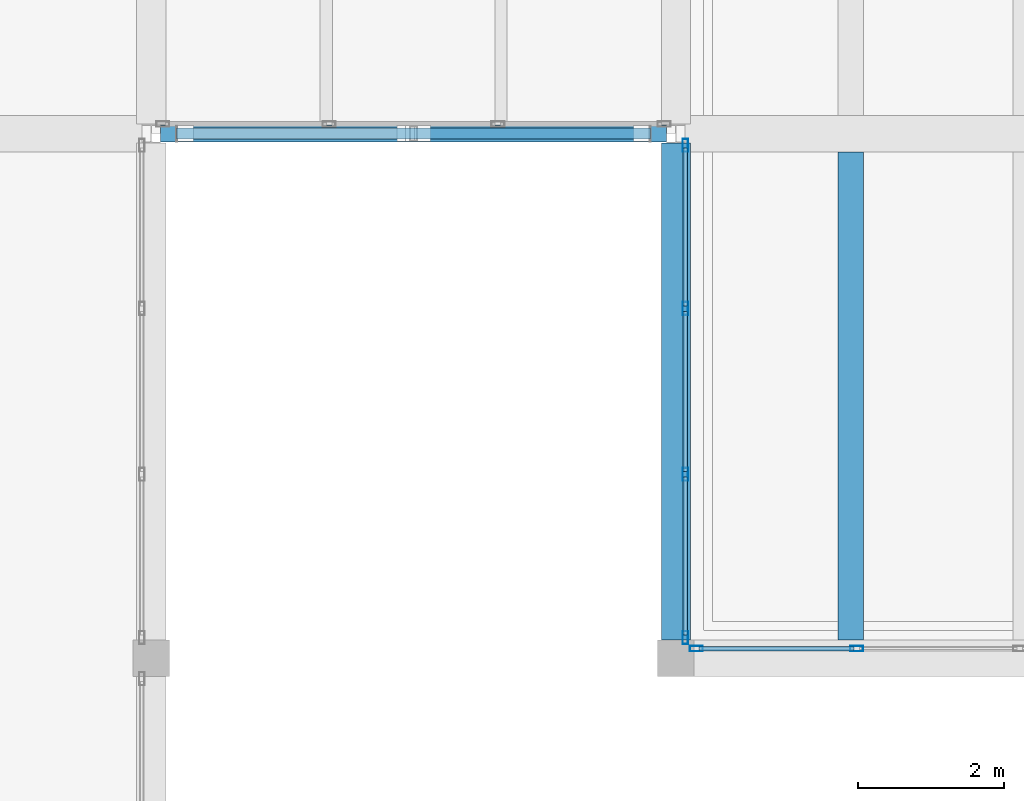
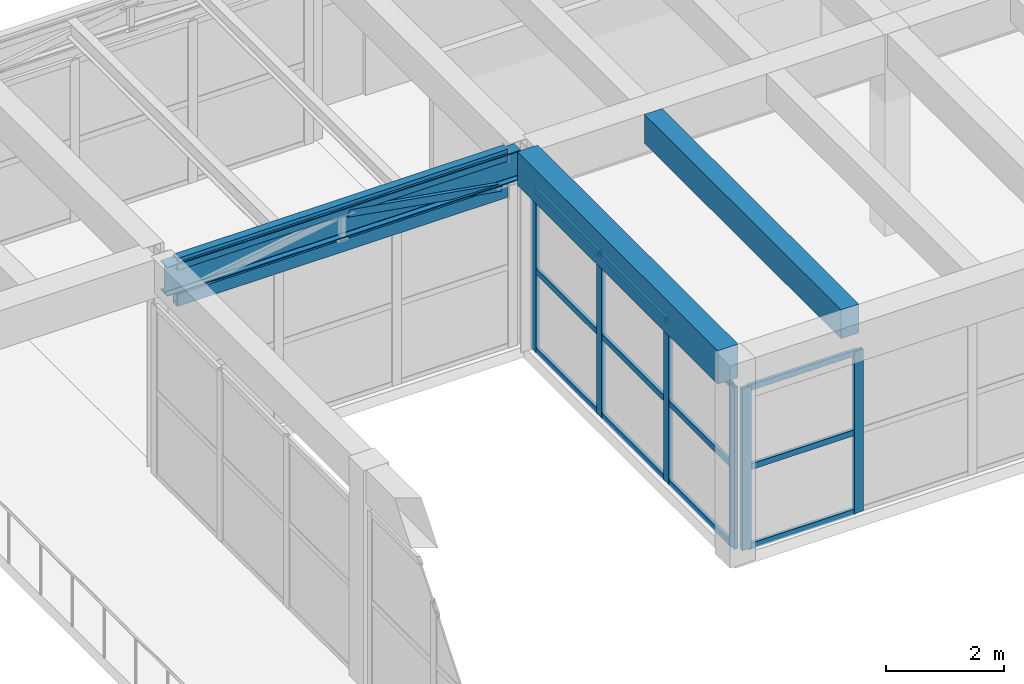
# One storey, part 47 of 153: 21 members, 3 beams, 2 elements without a shape of their own.
"""IFC4 building model written with IfcOpenShell, lengths in metres."""

import ifcopenshell
import ifcopenshell.guid

model = None  # the IFC model being written
_history = None  # IfcOwnerHistory: only IFC2X3 demands one
_inside = {}  # id of a spatial element -> (the spatial element, [elements in it])
_under = {}  # id of a project, library or spatial element -> (it, [spatial elements below it])
_declared = {}  # id of a project -> (the project, [libraries it declares])
_typed = {}  # id of a type object -> (the type object, [elements of that type])
_made_of = {}  # id of a material, layer set ... -> (it, [elements and type objects made of it])


def new_model(schema):
    """Start an empty IFC model of exactly this schema.

    Asked for "IFC4X3", IfcOpenShell would pick the latest addendum, in which some entities
    have other attributes; the version numbers below select the first issue.
    IFC2X3 requires an IfcOwnerHistory on every rooted entity: one is made here for all.
    """
    global model, _history
    if schema == "IFC4X3":
        model = ifcopenshell.file(schema_version=(4, 3, 0, 0))
    else:
        model = ifcopenshell.file(schema=schema)
    _inside.clear()
    _under.clear()
    _declared.clear()
    _typed.clear()
    _made_of.clear()
    _history = None
    if model.schema == "IFC2X3":
        org = make("IfcOrganization", Name="unknown")
        user = make(
            "IfcPersonAndOrganization",
            ThePerson=make("IfcPerson", FamilyName="unknown"),
            TheOrganization=org,
        )
        app = make(
            "IfcApplication",
            ApplicationDeveloper=org,
            Version="unknown",
            ApplicationFullName="unknown",
            ApplicationIdentifier="unknown",
        )
        _history = make(
            "IfcOwnerHistory",
            OwningUser=user,
            OwningApplication=app,
            ChangeAction="ADDED",
            CreationDate=0,
        )
    return model


def make(cls, **values):
    """One entity of the class cls with the attributes given. An attribute that is None is left unset."""
    return model.create_entity(
        cls, **{name: value for name, value in values.items() if value is not None}
    )


def rooted(cls, **values):
    """An entity with a GlobalId (a new one), such as an element, a storey or a relation."""
    return make(cls, GlobalId=ifcopenshell.guid.new(), OwnerHistory=_history, **values)


def si_unit(unit_type, name, prefix=None):
    """IfcSIUnit, for example si_unit("LENGTHUNIT", "METRE", prefix="MILLI")."""
    return make("IfcSIUnit", UnitType=unit_type, Prefix=prefix, Name=name)


def assignment(units):
    """IfcUnitAssignment: the units of a project."""
    return None if units is None else make("IfcUnitAssignment", Units=units)


def point(xyz):
    """IfcCartesianPoint."""
    return None if xyz is None else make("IfcCartesianPoint", Coordinates=xyz)


def direction(xyz):
    """IfcDirection."""
    return None if xyz is None else make("IfcDirection", DirectionRatios=xyz)


def frame(location, z_axis=None, x_axis=None):
    """IfcAxis2Placement3D, a coordinate frame: its origin and axes. An axis left out is left unset."""
    return make(
        "IfcAxis2Placement3D",
        Location=point(location),
        Axis=direction(z_axis),
        RefDirection=direction(x_axis),
    )


def frame_2d(location, x_axis=None):
    """IfcAxis2Placement2D, a coordinate frame in the plane: its origin and x axis."""
    return make(
        "IfcAxis2Placement2D", Location=point(location), RefDirection=direction(x_axis)
    )


def origin():
    """The frame at (0, 0, 0) with its axes left unset."""
    return frame((0.0, 0.0, 0.0))


def origin_2d():
    """The frame at (0, 0) in the plane with its x axis left unset."""
    return frame_2d((0.0, 0.0))


def place(relative_to, where):
    """IfcLocalPlacement: puts the frame where relative to a parent placement (None: the world)."""
    return make(
        "IfcLocalPlacement", PlacementRelTo=relative_to, RelativePlacement=where
    )


def context(
    kind, dimensions, precision=None, world=None, true_north=None, identifier=None
):
    """IfcGeometricRepresentationContext, for example the 3D "Model" context."""
    return make(
        "IfcGeometricRepresentationContext",
        ContextIdentifier=identifier,
        ContextType=kind,
        CoordinateSpaceDimension=dimensions,
        Precision=precision,
        WorldCoordinateSystem=world,
        TrueNorth=true_north,
    )


def subcontext(parent, identifier, kind, view, scale=None):
    """IfcGeometricRepresentationSubContext, for example "Body" below "Model"."""
    return make(
        "IfcGeometricRepresentationSubContext",
        ContextIdentifier=identifier,
        ContextType=kind,
        ParentContext=parent,
        TargetScale=scale,
        TargetView=view,
    )


def project(units=None, contexts=None):
    """IfcProject with its units and contexts."""
    return rooted(
        "IfcProject",
        Name="project",
        RepresentationContexts=contexts,
        UnitsInContext=assignment(units),
    )


def spatial(cls, under=None, at=None, **own):
    """A site, building, storey or space (cls), placed at a placement, below another one or the project."""
    s = rooted(cls, ObjectPlacement=at, **own)
    if under is not None:
        _under.setdefault(under.id(), (under, []))[1].append(s)
    return s


def profile(cls, at=None, kind="AREA", **sizes):
    """A parametric profile (cls). Its sizes go by their IFC names, for example OverallWidth=200.0."""
    return make(cls, ProfileType=kind, Position=at, **sizes)


def rectangle(**sizes):
    """IfcRectangleProfileDef."""
    return profile("IfcRectangleProfileDef", **sizes)


def hollow_rectangle(**sizes):
    """IfcRectangleHollowProfileDef."""
    return profile("IfcRectangleHollowProfileDef", **sizes)


def i_section(**sizes):
    """IfcIShapeProfileDef."""
    return profile("IfcIShapeProfileDef", **sizes)


def extrude(swept, where, along, depth):
    """IfcExtrudedAreaSolid: the profile swept, set in the frame where, extruded along a direction by depth."""
    return make(
        "IfcExtrudedAreaSolid",
        SweptArea=swept,
        Position=where,
        ExtrudedDirection=direction(along),
        Depth=depth,
    )


def shape(context_of_items, identifier, shape_type, items):
    """IfcShapeRepresentation: the items that make up one representation, for example the "Body"."""
    return make(
        "IfcShapeRepresentation",
        ContextOfItems=context_of_items,
        RepresentationIdentifier=identifier,
        RepresentationType=shape_type,
        Items=items,
    )


def material(Name=None, Category=None):
    """IfcMaterial."""
    return make("IfcMaterial", Name=Name, Category=Category)


def material_profile(
    of_material, cross_section, Name=None, Category=None, Priority=None
):
    """IfcMaterialProfile: a cross section and its material."""
    return make(
        "IfcMaterialProfile",
        Name=Name,
        Material=of_material,
        Profile=cross_section,
        Priority=Priority,
        Category=Category,
    )


def profile_set(profiles, Name=None, composite=None):
    """IfcMaterialProfileSet."""
    return make(
        "IfcMaterialProfileSet",
        Name=Name,
        MaterialProfiles=profiles,
        CompositeProfile=composite,
    )


def made_of(thing, what):
    """Note that an element or type object is made of a material, layer set ...; save() writes the relation."""
    if what is not None:
        _made_of.setdefault(what.id(), (what, []))[1].append(thing)
    return thing


def type_object(cls, material=None, **own):
    """A type object (cls), such as IfcWallType, which elements share."""
    return made_of(rooted(cls, **own), material)


def element(
    cls,
    number,
    at=None,
    inside=None,
    cuts=None,
    type_object=None,
    material=None,
    context=None,
    identifier="Body",
    shape_type=None,
    held_by="IfcProductDefinitionShape",
    body=None,
    shapes=None,
    **own,
):
    """One element of the class cls, such as IfcWall. Its Tag is "e" and its number.

    at: its placement. inside: the storey or other place that contains it. cuts: it is an
    opening in that element (IfcRelVoidsElement). A single representation is given by context,
    identifier, shape_type and body (its items); several are given by shapes. held_by: the class
    of the entity that holds the representations. save() writes the other relations.
    """
    e = rooted(cls, Tag="e%d" % number, ObjectPlacement=at, **own)
    if body is not None:
        shapes = [shape(context, identifier, shape_type, body)]
    if shapes is not None:
        e.Representation = make(held_by, Representations=shapes)
    if inside is not None:
        _inside.setdefault(inside.id(), (inside, []))[1].append(e)
    if cuts is not None:
        rooted(
            "IfcRelVoidsElement", RelatingBuildingElement=cuts, RelatedOpeningElement=e
        )
    if type_object is not None:
        _typed.setdefault(type_object.id(), (type_object, []))[1].append(e)
    return made_of(e, material)


def aggregate(whole, parts):
    """IfcRelAggregates: a whole, such as a stair, and the parts it consists of."""
    return rooted("IfcRelAggregates", RelatingObject=whole, RelatedObjects=parts)


def save(model, path):
    """Write the relations noted so far, then the file.

    IfcRelAggregates (storeys below a building ...), IfcRelContainedInSpatialStructure (elements
    in a storey), IfcRelDefinesByType, IfcRelAssociatesMaterial and IfcRelDeclares: one each for
    every whole, place, type object, material and project.
    """
    for whole, parts in _under.values():
        aggregate(whole, parts)
    for where, things in _inside.values():
        rooted(
            "IfcRelContainedInSpatialStructure",
            RelatedElements=things,
            RelatingStructure=where,
        )
    for kind, things in _typed.values():
        rooted("IfcRelDefinesByType", RelatedObjects=things, RelatingType=kind)
    for what, things in _made_of.values():
        rooted("IfcRelAssociatesMaterial", RelatedObjects=things, RelatingMaterial=what)
    for by, libraries in _declared.values():
        rooted("IfcRelDeclares", RelatingContext=by, RelatedDefinitions=libraries)
    model.write(path)


model = new_model("IFC4")

# Units and contexts
model_context = context("Model", 3, precision=1e-05, world=origin(), true_north=direction((0.0, 1.0)))
body_context = subcontext(model_context, "Body", "Model", "MODEL_VIEW")
ifc_project = project(units=[si_unit("LENGTHUNIT", "METRE"), si_unit("AREAUNIT", "SQUARE_METRE"), si_unit("VOLUMEUNIT", "CUBIC_METRE"), si_unit("PLANEANGLEUNIT", "RADIAN"), si_unit("MASSUNIT", "GRAM", prefix="KILO")], contexts=[model_context])

# Site, building, storey
site_placement = place(None, origin())
site = spatial("IfcSite", under=ifc_project, at=site_placement, CompositionType="ELEMENT")
building_placement = place(site_placement, origin())
building = spatial("IfcBuilding", under=site, at=building_placement, Name="Bramvelor Terrace Health Centre", CompositionType="ELEMENT")
storey_placement = place(building_placement, frame((0.0, 0.0, 4.800048828125)))
storey = spatial("IfcBuildingStorey", under=building, at=storey_placement, Name="L02", CompositionType="ELEMENT", Elevation=4.800048828125)

# Beams
ifc_material_1 = material(Name="Concrete C40/50", Category="concrete")
ifc_material_profile_1 = material_profile(ifc_material_1, rectangle(XDim=0.39990234375, YDim=0.699951171875, at=origin_2d()), Name="RC 400x700")
ifc_profile_set_1 = profile_set([ifc_material_profile_1], Name="Concrete C40/50")
beam_type_1 = type_object("IfcBeamType", Name="BM-RC-G700", PredefinedType="BEAM", material=ifc_profile_set_1)
beam_1_placement = place(storey_placement, frame((100.800048828125, 43.449951171875, 3.849853515625), z_axis=(0.0, 1.0, 0.0), x_axis=(-1.0, 0.0, 0.0)))
element("IfcBeam", 1, at=beam_1_placement, inside=storey, type_object=beam_type_1, Name="L02 Floor Girder", PredefinedType="BEAM", context=body_context, shape_type="SweptSolid", body=[
    extrude(rectangle(XDim=0.39990234375, YDim=0.699951171875, at=origin_2d()), origin(), (0.0, 0.0, 1.0), 6.820068359375),
])
ifc_material_2 = material(Name="Concrete C40/50", Category="concrete")
ifc_material_profile_2 = material_profile(ifc_material_2, rectangle(XDim=0.35009765625, YDim=0.60009765625, at=origin_2d()), Name="RC 350x600")
ifc_profile_set_2 = profile_set([ifc_material_profile_2], Name="Concrete C40/50")
beam_type_2 = type_object("IfcBeamType", Name="BM-RC-J600", PredefinedType="JOIST", material=ifc_profile_set_2)
beam_2_placement = place(storey_placement, frame((103.199951171875, 43.449951171875, 3.89990234375), z_axis=(0.0, 1.0, 0.0), x_axis=(-1.0, 0.0, 0.0)))
element("IfcBeam", 2, at=beam_2_placement, inside=storey, type_object=beam_type_2, Name="L02 Secondary Floor Joist", PredefinedType="JOIST", context=body_context, shape_type="SweptSolid", body=[
    extrude(rectangle(XDim=0.35009765625, YDim=0.60009765625, at=origin_2d()), origin(), (0.0, 0.0, 1.0), 6.699951171875),
])
ifc_material_3 = material(Name="Steel S355J2", Category="steel")
ifc_material_profile_3 = material_profile(ifc_material_3, i_section(OverallWidth=0.22900390625, OverallDepth=0.6123046875, WebThickness=0.011962890625, FlangeThickness=0.01953125, FilletRadius=0.0126953125, at=origin_2d()), Name="UB 610x229x125")
ifc_profile_set_3 = profile_set([ifc_material_profile_3], Name="Steel S355J2")
beam_type_3 = type_object("IfcBeamType", Name="BM-STL-UB610", PredefinedType="BEAM", material=ifc_profile_set_3)
beam_3_placement = place(storey_placement, frame((93.72802734375, 50.39990234375, 3.893798828125), z_axis=(1.0, 0.0, 0.0), x_axis=(0.0, 1.0, 0.0)))
element("IfcBeam", 3, at=beam_3_placement, inside=storey, type_object=beam_type_3, Name="L02 Floor Girder", PredefinedType="BEAM", context=body_context, shape_type="SweptSolid", body=[
    extrude(i_section(OverallWidth=0.22900390625, OverallDepth=0.6123046875, WebThickness=0.011962890625, FlangeThickness=0.01953125, FilletRadius=0.0126953125, at=origin_2d()), origin(), (0.0, 0.0, 1.0), 6.94384765625),
])

# Curtain wall, members
ifc_material_4 = material(Name="Anodized aluminium and double low-E glass", Category="aluminium")
curtain_wall_type = type_object("IfcCurtainWallType", Name="CW-SYS-16", PredefinedType="NOTDEFINED", material=ifc_material_4)
curtain_wall_1_placement = place(storey_placement, origin())
curtain_wall_1 = element("IfcCurtainWall", 4, at=curtain_wall_1_placement, inside=storey, type_object=curtain_wall_type, Name="L02 Unitized Curtain Wall 112", PredefinedType="NOTDEFINED")
ifc_material_5 = material(Name="Anodized aluminium 6063-T6", Category="aluminium")
ifc_material_profile_4 = material_profile(ifc_material_5, hollow_rectangle(XDim=0.074951171875, YDim=0.179931640625, WallThickness=0.00341796875, at=origin_2d()), Name="ALU-MUL 75x180x3.5")
ifc_profile_set_4 = profile_set([ifc_material_profile_4], Name="Anodized aluminium 6063-T6")
member_type_1 = type_object("IfcMemberType", Name="CW-MUL-65x180", PredefinedType="MULLION", material=ifc_profile_set_4)
member_1_placement = place(storey_placement, frame((103.28173828125, 43.330078125, 0.0), z_axis=(0.0, 0.0, 1.0), x_axis=(0.0, -1.0, 0.0)))
member_1 = element("IfcMember", 5, at=member_1_placement, type_object=member_type_1, Name="CW-16 mullion 3", PredefinedType="MULLION", context=body_context, shape_type="SweptSolid", body=[
    extrude(hollow_rectangle(XDim=0.074951171875, YDim=0.179931640625, WallThickness=0.00341796875, at=origin_2d()), origin(), (0.0, 0.0, 1.0), 3.35986328125),
])
member_2_placement = place(storey_placement, frame((101.08251953125, 43.330078125, 0.0), z_axis=(0.0, 0.0, 1.0), x_axis=(0.0, -1.0, 0.0)))
member_2 = element("IfcMember", 6, at=member_2_placement, type_object=member_type_1, Name="CW-16 mullion 4", PredefinedType="MULLION", context=body_context, shape_type="SweptSolid", body=[
    extrude(hollow_rectangle(XDim=0.074951171875, YDim=0.179931640625, WallThickness=0.00341796875, at=origin_2d()), origin(), (0.0, 0.0, 1.0), 3.35986328125),
])

curtain_wall_2_placement = place(storey_placement, origin())
curtain_wall_2 = element("IfcCurtainWall", 7, at=curtain_wall_2_placement, inside=storey, type_object=curtain_wall_type, Name="L02 Unitized Curtain Wall 113", PredefinedType="NOTDEFINED")
member_3_placement = place(storey_placement, frame((100.929931640625, 43.482421875, 0.0), z_axis=(0.0, 0.0, 1.0), x_axis=(-1.0, 0.0, 0.0)))
member_3 = element("IfcMember", 8, at=member_3_placement, type_object=member_type_1, Name="CW-16 mullion 1", PredefinedType="MULLION", context=body_context, shape_type="SweptSolid", body=[
    extrude(hollow_rectangle(XDim=0.074951171875, YDim=0.179931640625, WallThickness=0.00341796875, at=origin_2d()), origin(), (0.0, 0.0, 1.0), 3.35986328125),
])
member_4_placement = place(storey_placement, frame((100.929931640625, 45.7216796875, 0.0), z_axis=(0.0, 0.0, 1.0), x_axis=(-1.0, 0.0, 0.0)))
member_4 = element("IfcMember", 9, at=member_4_placement, type_object=member_type_1, Name="CW-16 mullion 2", PredefinedType="MULLION", context=body_context, shape_type="SweptSolid", body=[
    extrude(hollow_rectangle(XDim=0.074951171875, YDim=0.179931640625, WallThickness=0.00341796875, at=origin_2d()), origin(), (0.0, 0.0, 1.0), 3.35986328125),
])
member_5_placement = place(storey_placement, frame((100.929931640625, 47.998291015625, 0.0), z_axis=(0.0, 0.0, 1.0), x_axis=(-1.0, 0.0, 0.0)))
member_5 = element("IfcMember", 10, at=member_5_placement, type_object=member_type_1, Name="CW-16 mullion 3", PredefinedType="MULLION", context=body_context, shape_type="SweptSolid", body=[
    extrude(hollow_rectangle(XDim=0.074951171875, YDim=0.179931640625, WallThickness=0.00341796875, at=origin_2d()), origin(), (0.0, 0.0, 1.0), 3.35986328125),
])
member_6_placement = place(storey_placement, frame((100.929931640625, 50.2373046875, 0.0), z_axis=(0.0, 0.0, 1.0), x_axis=(-1.0, 0.0, 0.0)))
member_6 = element("IfcMember", 11, at=member_6_placement, type_object=member_type_1, Name="CW-16 mullion 4", PredefinedType="MULLION", context=body_context, shape_type="SweptSolid", body=[
    extrude(hollow_rectangle(XDim=0.074951171875, YDim=0.179931640625, WallThickness=0.00341796875, at=origin_2d()), origin(), (0.0, 0.0, 1.0), 3.35986328125),
])

# Member
ifc_material_6 = material(Name="Anodized aluminium 6063-T6", Category="aluminium")
ifc_material_profile_5 = material_profile(ifc_material_6, hollow_rectangle(XDim=0.06494140625, YDim=0.1201171875, WallThickness=0.0029296875, at=origin_2d()), Name="ALU-TRN 65x120x3.0")
ifc_profile_set_5 = profile_set([ifc_material_profile_5], Name="Anodized aluminium 6063-T6")
member_type_2 = type_object("IfcMemberType", Name="CW-TRN-65x150", PredefinedType="USERDEFINED", material=ifc_profile_set_5)
member_7_placement = place(storey_placement, frame((103.244140625, 43.330078125, 0.032470703125), z_axis=(-1.0, 0.0, 0.0), x_axis=(0.0, -1.0, 0.0)))
member_7 = element("IfcMember", 12, at=member_7_placement, type_object=member_type_2, Name="CW-16 transom 3.1", ObjectType="TRANSOM", PredefinedType="USERDEFINED", context=body_context, shape_type="SweptSolid", body=[
    extrude(hollow_rectangle(XDim=0.06494140625, YDim=0.1201171875, WallThickness=0.0029296875, at=origin_2d()), origin(), (0.0, 0.0, 1.0), 2.1240234375),
])

member_8_placement = place(storey_placement, frame((103.244140625, 43.330078125, 1.679931640625), z_axis=(-1.0, 0.0, 0.0), x_axis=(0.0, -1.0, 0.0)))
member_8 = element("IfcMember", 13, at=member_8_placement, type_object=member_type_2, Name="CW-16 transom 3.2", ObjectType="TRANSOM", PredefinedType="USERDEFINED", context=body_context, shape_type="SweptSolid", body=[
    extrude(hollow_rectangle(XDim=0.06494140625, YDim=0.1201171875, WallThickness=0.0029296875, at=origin_2d()), origin(), (0.0, 0.0, 1.0), 2.1240234375),
])

member_9_placement = place(storey_placement, frame((103.244140625, 43.330078125, 3.327392578125), z_axis=(-1.0, 0.0, 0.0), x_axis=(0.0, -1.0, 0.0)))
member_9 = element("IfcMember", 14, at=member_9_placement, type_object=member_type_2, Name="CW-16 transom 3.3", ObjectType="TRANSOM", PredefinedType="USERDEFINED", context=body_context, shape_type="SweptSolid", body=[
    extrude(hollow_rectangle(XDim=0.06494140625, YDim=0.1201171875, WallThickness=0.0029296875, at=origin_2d()), origin(), (0.0, 0.0, 1.0), 2.1240234375),
])

aggregate(curtain_wall_1, [member_1, member_2, member_7, member_8, member_9])

member_10_placement = place(storey_placement, frame((100.929931640625, 43.52001953125, 0.032470703125), z_axis=(0.0, 1.0, 0.0), x_axis=(-1.0, 0.0, 0.0)))
member_10 = element("IfcMember", 15, at=member_10_placement, type_object=member_type_2, Name="CW-16 transom 1.1", ObjectType="TRANSOM", PredefinedType="USERDEFINED", context=body_context, shape_type="SweptSolid", body=[
    extrude(hollow_rectangle(XDim=0.06494140625, YDim=0.1201171875, WallThickness=0.0029296875, at=origin_2d()), origin(), (0.0, 0.0, 1.0), 2.1640625),
])

member_11_placement = place(storey_placement, frame((100.929931640625, 43.52001953125, 1.679931640625), z_axis=(0.0, 1.0, 0.0), x_axis=(-1.0, 0.0, 0.0)))
member_11 = element("IfcMember", 16, at=member_11_placement, type_object=member_type_2, Name="CW-16 transom 1.2", ObjectType="TRANSOM", PredefinedType="USERDEFINED", context=body_context, shape_type="SweptSolid", body=[
    extrude(hollow_rectangle(XDim=0.06494140625, YDim=0.1201171875, WallThickness=0.0029296875, at=origin_2d()), origin(), (0.0, 0.0, 1.0), 2.1640625),
])

member_12_placement = place(storey_placement, frame((100.929931640625, 43.52001953125, 3.327392578125), z_axis=(0.0, 1.0, 0.0), x_axis=(-1.0, 0.0, 0.0)))
member_12 = element("IfcMember", 17, at=member_12_placement, type_object=member_type_2, Name="CW-16 transom 1.3", ObjectType="TRANSOM", PredefinedType="USERDEFINED", context=body_context, shape_type="SweptSolid", body=[
    extrude(hollow_rectangle(XDim=0.06494140625, YDim=0.1201171875, WallThickness=0.0029296875, at=origin_2d()), origin(), (0.0, 0.0, 1.0), 2.1640625),
])

member_13_placement = place(storey_placement, frame((100.929931640625, 45.759033203125, 0.032470703125), z_axis=(0.0, 1.0, 0.0), x_axis=(-1.0, 0.0, 0.0)))
member_13 = element("IfcMember", 18, at=member_13_placement, type_object=member_type_2, Name="CW-16 transom 2.1", ObjectType="TRANSOM", PredefinedType="USERDEFINED", context=body_context, shape_type="SweptSolid", body=[
    extrude(hollow_rectangle(XDim=0.06494140625, YDim=0.1201171875, WallThickness=0.0029296875, at=origin_2d()), origin(), (0.0, 0.0, 1.0), 2.20166015625),
])

member_14_placement = place(storey_placement, frame((100.929931640625, 45.759033203125, 1.679931640625), z_axis=(0.0, 1.0, 0.0), x_axis=(-1.0, 0.0, 0.0)))
member_14 = element("IfcMember", 19, at=member_14_placement, type_object=member_type_2, Name="CW-16 transom 2.2", ObjectType="TRANSOM", PredefinedType="USERDEFINED", context=body_context, shape_type="SweptSolid", body=[
    extrude(hollow_rectangle(XDim=0.06494140625, YDim=0.1201171875, WallThickness=0.0029296875, at=origin_2d()), origin(), (0.0, 0.0, 1.0), 2.20166015625),
])

member_15_placement = place(storey_placement, frame((100.929931640625, 45.759033203125, 3.327392578125), z_axis=(0.0, 1.0, 0.0), x_axis=(-1.0, 0.0, 0.0)))
member_15 = element("IfcMember", 20, at=member_15_placement, type_object=member_type_2, Name="CW-16 transom 2.3", ObjectType="TRANSOM", PredefinedType="USERDEFINED", context=body_context, shape_type="SweptSolid", body=[
    extrude(hollow_rectangle(XDim=0.06494140625, YDim=0.1201171875, WallThickness=0.0029296875, at=origin_2d()), origin(), (0.0, 0.0, 1.0), 2.20166015625),
])

member_16_placement = place(storey_placement, frame((100.929931640625, 48.035888671875, 0.032470703125), z_axis=(0.0, 1.0, 0.0), x_axis=(-1.0, 0.0, 0.0)))
member_16 = element("IfcMember", 21, at=member_16_placement, type_object=member_type_2, Name="CW-16 transom 3.1", ObjectType="TRANSOM", PredefinedType="USERDEFINED", context=body_context, shape_type="SweptSolid", body=[
    extrude(hollow_rectangle(XDim=0.06494140625, YDim=0.1201171875, WallThickness=0.0029296875, at=origin_2d()), origin(), (0.0, 0.0, 1.0), 2.1640625),
])

member_17_placement = place(storey_placement, frame((100.929931640625, 48.035888671875, 1.679931640625), z_axis=(0.0, 1.0, 0.0), x_axis=(-1.0, 0.0, 0.0)))
member_17 = element("IfcMember", 22, at=member_17_placement, type_object=member_type_2, Name="CW-16 transom 3.2", ObjectType="TRANSOM", PredefinedType="USERDEFINED", context=body_context, shape_type="SweptSolid", body=[
    extrude(hollow_rectangle(XDim=0.06494140625, YDim=0.1201171875, WallThickness=0.0029296875, at=origin_2d()), origin(), (0.0, 0.0, 1.0), 2.1640625),
])

member_18_placement = place(storey_placement, frame((100.929931640625, 48.035888671875, 3.327392578125), z_axis=(0.0, 1.0, 0.0), x_axis=(-1.0, 0.0, 0.0)))
member_18 = element("IfcMember", 23, at=member_18_placement, type_object=member_type_2, Name="CW-16 transom 3.3", ObjectType="TRANSOM", PredefinedType="USERDEFINED", context=body_context, shape_type="SweptSolid", body=[
    extrude(hollow_rectangle(XDim=0.06494140625, YDim=0.1201171875, WallThickness=0.0029296875, at=origin_2d()), origin(), (0.0, 0.0, 1.0), 2.1640625),
])

aggregate(curtain_wall_2, [member_3, member_4, member_5, member_6, member_10, member_11, member_12, member_13, member_14, member_15, member_16, member_17, member_18])

# Members
ifc_material_7 = material(Name="Steel S355J2", Category="steel")
ifc_material_profile_6 = material_profile(ifc_material_7, hollow_rectangle(XDim=0.14990234375, YDim=0.25, WallThickness=0.008056640625, at=origin_2d()), Name="RHS 250x150x8.0")
ifc_profile_set_6 = profile_set([ifc_material_profile_6], Name="Steel S355J2")
member_type_3 = type_object("IfcMemberType", Name="MEM-STL-RHS250", PredefinedType="CHORD", material=ifc_profile_set_6)
for number, where, z_axis, x_axis, name in (
    (24, (93.949951171875, 50.39990234375, 3.39990234375), (1.0, 0.0, 0.0), (0.0, 1.0, 0.0), "BR3 Bridge Truss Bottom Chord"),
    (25, (93.949951171875, 50.39990234375, 4.14990234375), (1.0, 0.0, 0.0), (0.0, 1.0, 0.0), "BR3 Bridge Truss Top Chord"),
):
    element("IfcMember", number, at=place(storey_placement, frame(where, z_axis=z_axis, x_axis=x_axis)), inside=storey, type_object=member_type_3, Name=name, PredefinedType="CHORD", context=body_context, shape_type="SweptSolid", body=[
        extrude(hollow_rectangle(XDim=0.14990234375, YDim=0.25, WallThickness=0.008056640625, at=origin_2d()), origin(), (0.0, 0.0, 1.0), 6.5),
    ])
ifc_material_8 = material(Name="Steel S355J2", Category="steel")
ifc_material_profile_7 = material_profile(ifc_material_8, hollow_rectangle(XDim=0.14990234375, YDim=0.14990234375, WallThickness=0.00634765625, at=origin_2d()), Name="SHS 150x150x6.3")
ifc_profile_set_7 = profile_set([ifc_material_profile_7], Name="Steel S355J2")
member_type_4 = type_object("IfcMemberType", Name="MEM-STL-SHS150", PredefinedType="BRACE", material=ifc_profile_set_7)
member_19_placement = place(storey_placement, frame((97.320068359375, 50.39990234375, 4.030029296875), z_axis=(0.985947265653, 0.0, -0.167056844671), x_axis=(0.0, 1.0, 0.0)))
element("IfcMember", 26, at=member_19_placement, inside=storey, type_object=member_type_4, Name="BR3 Bridge Truss Web Diagonal 1", PredefinedType="BRACE", context=body_context, shape_type="SweptSolid", body=[
    extrude(hollow_rectangle(XDim=0.14990234375, YDim=0.14990234375, WallThickness=0.00634765625, at=origin_2d()), origin(), (0.0, 0.0, 1.0), 3.052978515625),
])

save(model, "model.ifc")
